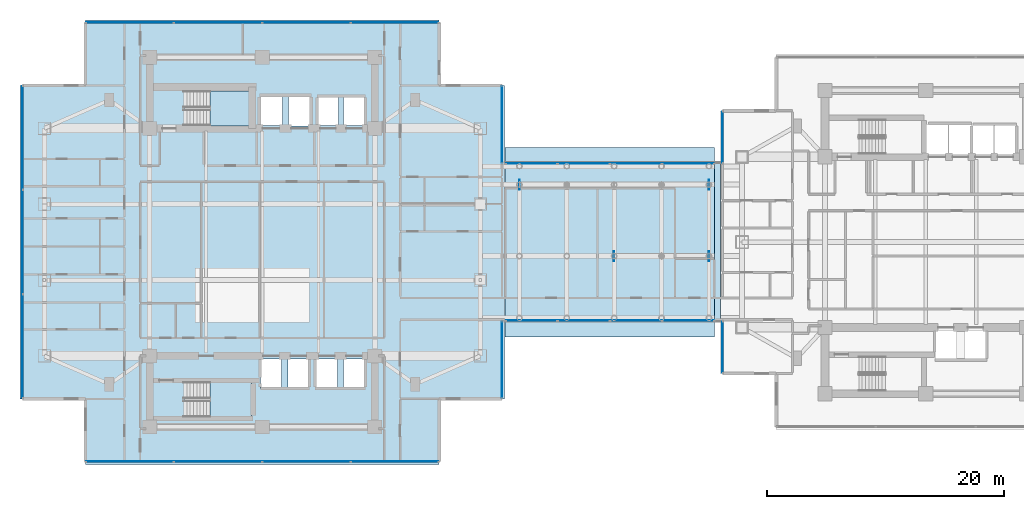
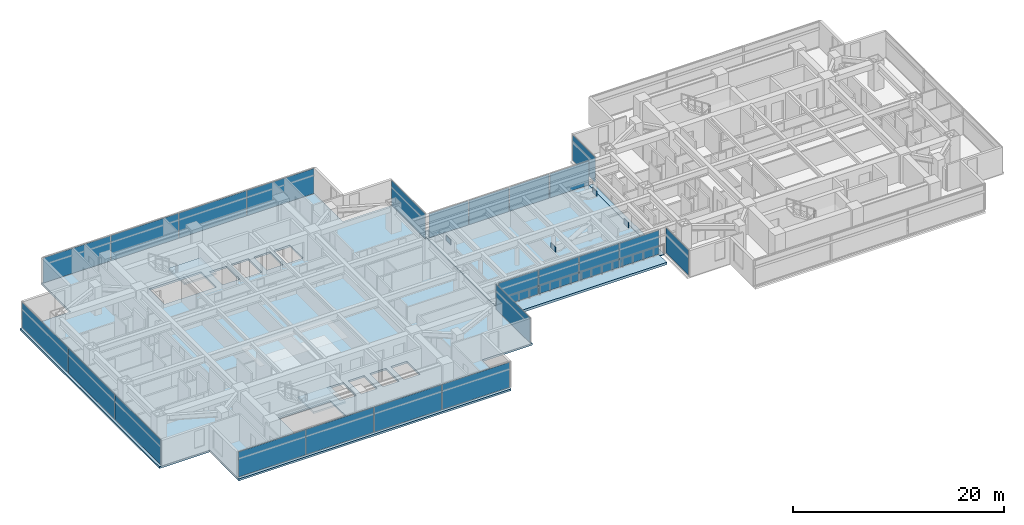
# One storey, part 12 of 29: 27 plates, 5 slabs, 11 elements without a shape of their own.
"""IFC4 building model written with IfcOpenShell, lengths in metres."""

from ifc_helpers import new_model, si_unit, direction, frame, origin, origin_2d, place, context, subcontext, project, spatial, polyline, rectangle, outline, extrude, material, layer, layer_set, type_object, element, aggregate, save


model = new_model("IFC4")

# Units and contexts
model_context = context("Model", 3, precision=1e-05, world=origin(), true_north=direction((0.0, 1.0)))
body_context = subcontext(model_context, "Body", "Model", "MODEL_VIEW")
ifc_project = project(units=[si_unit("LENGTHUNIT", "METRE"), si_unit("AREAUNIT", "SQUARE_METRE"), si_unit("VOLUMEUNIT", "CUBIC_METRE"), si_unit("PLANEANGLEUNIT", "RADIAN"), si_unit("MASSUNIT", "GRAM", prefix="KILO")], contexts=[model_context])

# Site, building, storey
site_placement = place(None, origin())
site = spatial("IfcSite", under=ifc_project, at=site_placement, CompositionType="ELEMENT")
building_placement = place(site_placement, origin())
building = spatial("IfcBuilding", under=site, at=building_placement, Name="Mirazonda Arch Towers", CompositionType="ELEMENT")
storey_placement = place(building_placement, frame((0.0, 0.0, 88.39990234375)))
storey = spatial("IfcBuildingStorey", under=building, at=storey_placement, Name="L24", CompositionType="ELEMENT", Elevation=88.39990234375)

# Curtain wall, plates
ifc_material_1 = material(Name="Anodised Aluminium and Low-E Glass", Category="aluminium")
curtain_wall_type_1 = type_object("IfcCurtainWallType", Name="CW-BRG-LINK", PredefinedType="NOTDEFINED", material=ifc_material_1)
curtain_wall_1_placement = place(storey_placement, origin())
curtain_wall_1 = element("IfcCurtainWall", 1, at=curtain_wall_1_placement, inside=storey, type_object=curtain_wall_type_1, Name="L24 Skybridge South Glazing CW-L24-BRG-S", PredefinedType="NOTDEFINED")
ifc_material_2 = material(Name="Insulated Low-E Solar Glass", Category="glass")
ifc_layer_1 = layer(ifc_material_2, 0.0439453125, Name="PAN-CW-BRG-LINK")
ifc_layer_set_1 = layer_set([ifc_layer_1], Name="Insulated Low-E Solar Glass")
plate_type_1 = type_object("IfcPlateType", Name="PAN-CW-BRG-LINK", PredefinedType="CURTAIN_PANEL", material=ifc_layer_set_1)
plate_1_placement = place(storey_placement, frame((56.4541015625, 21.3798828125, 0.14501953125), z_axis=(0.0, 0.0, 1.0), x_axis=(-1.0, 0.0, 0.0)))
plate_1 = element("IfcPlate", 2, at=plate_1_placement, type_object=plate_type_1, Name="CW-103 panel 1.1", PredefinedType="CURTAIN_PANEL", context=body_context, shape_type="SweptSolid", body=[
    extrude(rectangle(XDim=4.296875, YDim=0.0439453125, at=origin_2d()), origin(), (0.0, 0.0, 1.0), 2.77001953125),
])
plate_2_placement = place(storey_placement, frame((52.051025390625, 21.3798828125, 0.14501953125), z_axis=(0.0, 0.0, 1.0), x_axis=(-1.0, 0.0, 0.0)))
plate_2 = element("IfcPlate", 3, at=plate_2_placement, type_object=plate_type_1, Name="CW-103 panel 2.1", PredefinedType="CURTAIN_PANEL", context=body_context, shape_type="SweptSolid", body=[
    extrude(rectangle(XDim=4.33935546875, YDim=0.0439453125, at=origin_2d()), origin(), (0.0, 0.0, 1.0), 2.77001953125),
])
plate_3_placement = place(storey_placement, frame((47.62646484375, 21.3798828125, 0.14501953125), z_axis=(0.0, 0.0, 1.0), x_axis=(-1.0, 0.0, 0.0)))
plate_3 = element("IfcPlate", 4, at=plate_3_placement, type_object=plate_type_1, Name="CW-103 panel 3.1", PredefinedType="CURTAIN_PANEL", context=body_context, shape_type="SweptSolid", body=[
    extrude(rectangle(XDim=4.33935546875, YDim=0.0439453125, at=origin_2d()), origin(), (0.0, 0.0, 1.0), 2.77001953125),
])
plate_4_placement = place(storey_placement, frame((43.223388671875, 21.3798828125, 0.14501953125), z_axis=(0.0, 0.0, 1.0), x_axis=(-1.0, 0.0, 0.0)))
plate_4 = element("IfcPlate", 5, at=plate_4_placement, type_object=plate_type_1, Name="CW-103 panel 4.1", PredefinedType="CURTAIN_PANEL", context=body_context, shape_type="SweptSolid", body=[
    extrude(rectangle(XDim=4.296875, YDim=0.0439453125, at=origin_2d()), origin(), (0.0, 0.0, 1.0), 2.77001953125),
])
aggregate(curtain_wall_1, [plate_1, plate_2, plate_3, plate_4])

curtain_wall_2_placement = place(storey_placement, origin())
curtain_wall_2 = element("IfcCurtainWall", 6, at=curtain_wall_2_placement, inside=storey, type_object=curtain_wall_type_1, Name="L24 Skybridge North Glazing CW-L24-BRG-N", PredefinedType="NOTDEFINED")
plate_5_placement = place(storey_placement, frame((43.223388671875, 34.6201171875, 0.14501953125), z_axis=(0.0, 0.0, 1.0), x_axis=(1.0, 0.0, 0.0)))
plate_5 = element("IfcPlate", 7, at=plate_5_placement, type_object=plate_type_1, Name="CW-103 panel 1.1", PredefinedType="CURTAIN_PANEL", context=body_context, shape_type="SweptSolid", body=[
    extrude(rectangle(XDim=4.296875, YDim=0.0439453125, at=origin_2d()), origin(), (0.0, 0.0, 1.0), 2.77001953125),
])
plate_6_placement = place(storey_placement, frame((47.62646484375, 34.6201171875, 0.14501953125), z_axis=(0.0, 0.0, 1.0), x_axis=(1.0, 0.0, 0.0)))
plate_6 = element("IfcPlate", 8, at=plate_6_placement, type_object=plate_type_1, Name="CW-103 panel 2.1", PredefinedType="CURTAIN_PANEL", context=body_context, shape_type="SweptSolid", body=[
    extrude(rectangle(XDim=4.33935546875, YDim=0.0439453125, at=origin_2d()), origin(), (0.0, 0.0, 1.0), 2.77001953125),
])
plate_7_placement = place(storey_placement, frame((52.051025390625, 34.6201171875, 0.14501953125), z_axis=(0.0, 0.0, 1.0), x_axis=(1.0, 0.0, 0.0)))
plate_7 = element("IfcPlate", 9, at=plate_7_placement, type_object=plate_type_1, Name="CW-103 panel 3.1", PredefinedType="CURTAIN_PANEL", context=body_context, shape_type="SweptSolid", body=[
    extrude(rectangle(XDim=4.33935546875, YDim=0.0439453125, at=origin_2d()), origin(), (0.0, 0.0, 1.0), 2.77001953125),
])
plate_8_placement = place(storey_placement, frame((56.4541015625, 34.6201171875, 0.14501953125), z_axis=(0.0, 0.0, 1.0), x_axis=(1.0, 0.0, 0.0)))
plate_8 = element("IfcPlate", 10, at=plate_8_placement, type_object=plate_type_1, Name="CW-103 panel 4.1", PredefinedType="CURTAIN_PANEL", context=body_context, shape_type="SweptSolid", body=[
    extrude(rectangle(XDim=4.296875, YDim=0.0439453125, at=origin_2d()), origin(), (0.0, 0.0, 1.0), 2.77001953125),
])
aggregate(curtain_wall_2, [plate_5, plate_6, plate_7, plate_8])

curtain_wall_type_2 = type_object("IfcCurtainWallType", Name="CW-HTL-UNIT", PredefinedType="NOTDEFINED", material=ifc_material_1)
curtain_wall_3_placement = place(storey_placement, origin())
curtain_wall_3 = element("IfcCurtainWall", 11, at=curtain_wall_3_placement, inside=storey, type_object=curtain_wall_type_2, Name="L24 T1 S Facade CW-L24-T1-S", PredefinedType="NOTDEFINED")
ifc_layer_2 = layer(ifc_material_2, 0.035888671875, Name="PAN-CW-HTL-UNIT")
ifc_layer_set_2 = layer_set([ifc_layer_2], Name="Insulated Low-E Solar Glass")
plate_type_2 = type_object("IfcPlateType", Name="PAN-CW-HTL-UNIT", PredefinedType="CURTAIN_PANEL", material=ifc_layer_set_2)
plate_9_placement = place(storey_placement, frame((31.675048828125, 9.469970703125, 0.0751953125), z_axis=(0.0, 0.0, 1.0), x_axis=(-1.0, 0.0, 0.0)))
plate_9 = element("IfcPlate", 12, at=plate_9_placement, type_object=plate_type_2, Name="CW-112 panel 1.1", PredefinedType="CURTAIN_PANEL", context=body_context, shape_type="SweptSolid", body=[
    extrude(rectangle(XDim=7.35009765625, YDim=0.035888671875, at=origin_2d()), origin(), (0.0, 0.0, 1.0), 2.909912109375),
])
plate_10_placement = place(storey_placement, frame((24.231201171875, 9.469970703125, 0.0751953125), z_axis=(0.0, 0.0, 1.0), x_axis=(-1.0, 0.0, 0.0)))
plate_10 = element("IfcPlate", 13, at=plate_10_placement, type_object=plate_type_2, Name="CW-112 panel 2.1", PredefinedType="CURTAIN_PANEL", context=body_context, shape_type="SweptSolid", body=[
    extrude(rectangle(XDim=7.387451171875, YDim=0.035888671875, at=origin_2d()), origin(), (0.0, 0.0, 1.0), 2.909912109375),
])
plate_11_placement = place(storey_placement, frame((16.768798828125, 9.469970703125, 0.0751953125), z_axis=(0.0, 0.0, 1.0), x_axis=(-1.0, 0.0, 0.0)))
plate_11 = element("IfcPlate", 14, at=plate_11_placement, type_object=plate_type_2, Name="CW-112 panel 3.1", PredefinedType="CURTAIN_PANEL", context=body_context, shape_type="SweptSolid", body=[
    extrude(rectangle(XDim=7.387451171875, YDim=0.035888671875, at=origin_2d()), origin(), (0.0, 0.0, 1.0), 2.909912109375),
])
plate_12_placement = place(storey_placement, frame((9.324951171875, 9.469970703125, 0.0751953125), z_axis=(0.0, 0.0, 1.0), x_axis=(-1.0, 0.0, 0.0)))
plate_12 = element("IfcPlate", 15, at=plate_12_placement, type_object=plate_type_2, Name="CW-112 panel 4.1", PredefinedType="CURTAIN_PANEL", context=body_context, shape_type="SweptSolid", body=[
    extrude(rectangle(XDim=7.35009765625, YDim=0.035888671875, at=origin_2d()), origin(), (0.0, 0.0, 1.0), 2.909912109375),
])
aggregate(curtain_wall_3, [plate_9, plate_10, plate_11, plate_12])

# Curtain wall, plate
curtain_wall_4_placement = place(storey_placement, origin())
curtain_wall_4 = element("IfcCurtainWall", 16, at=curtain_wall_4_placement, inside=storey, type_object=curtain_wall_type_2, Name="L24 Curtain Wall CW-L24-T1-E1", PredefinedType="NOTDEFINED")
plate_13_placement = place(storey_placement, frame((40.72998046875, 18.0673828125, 0.0751953125), z_axis=(0.0, 0.0, 1.0), x_axis=(0.0, 1.0, 0.0)))
plate_13 = element("IfcPlate", 17, at=plate_13_placement, type_object=plate_type_2, Name="CW-112 panel 1.1", PredefinedType="CURTAIN_PANEL", context=body_context, shape_type="SweptSolid", body=[
    extrude(rectangle(XDim=6.43505859375, YDim=0.035888671875, at=origin_2d()), origin(), (0.0, 0.0, 1.0), 2.909912109375),
])
aggregate(curtain_wall_4, [plate_13])

curtain_wall_5_placement = place(storey_placement, origin())
curtain_wall_5 = element("IfcCurtainWall", 18, at=curtain_wall_5_placement, inside=storey, type_object=curtain_wall_type_2, Name="L24 Curtain Wall CW-L24-T1-E2", PredefinedType="NOTDEFINED")
plate_14_placement = place(storey_placement, frame((40.72998046875, 37.9326171875, 0.0751953125), z_axis=(0.0, 0.0, 1.0), x_axis=(0.0, 1.0, 0.0)))
plate_14 = element("IfcPlate", 19, at=plate_14_placement, type_object=plate_type_2, Name="CW-112 panel 1.1", PredefinedType="CURTAIN_PANEL", context=body_context, shape_type="SweptSolid", body=[
    extrude(rectangle(XDim=6.43505859375, YDim=0.035888671875, at=origin_2d()), origin(), (0.0, 0.0, 1.0), 2.909912109375),
])
aggregate(curtain_wall_5, [plate_14])

# Curtain wall, plates
curtain_wall_6_placement = place(storey_placement, origin())
curtain_wall_6 = element("IfcCurtainWall", 20, at=curtain_wall_6_placement, inside=storey, type_object=curtain_wall_type_2, Name="L24 T1 N Facade CW-L24-T1-N", PredefinedType="NOTDEFINED")
plate_15_placement = place(storey_placement, frame((9.324951171875, 46.530029296875, 0.0751953125), z_axis=(0.0, 0.0, 1.0), x_axis=(1.0, 0.0, 0.0)))
plate_15 = element("IfcPlate", 21, at=plate_15_placement, type_object=plate_type_2, Name="CW-112 panel 1.1", PredefinedType="CURTAIN_PANEL", context=body_context, shape_type="SweptSolid", body=[
    extrude(rectangle(XDim=7.35009765625, YDim=0.035888671875, at=origin_2d()), origin(), (0.0, 0.0, 1.0), 2.909912109375),
])
plate_16_placement = place(storey_placement, frame((16.768798828125, 46.530029296875, 0.0751953125), z_axis=(0.0, 0.0, 1.0), x_axis=(1.0, 0.0, 0.0)))
plate_16 = element("IfcPlate", 22, at=plate_16_placement, type_object=plate_type_2, Name="CW-112 panel 2.1", PredefinedType="CURTAIN_PANEL", context=body_context, shape_type="SweptSolid", body=[
    extrude(rectangle(XDim=7.387451171875, YDim=0.035888671875, at=origin_2d()), origin(), (0.0, 0.0, 1.0), 2.909912109375),
])
plate_17_placement = place(storey_placement, frame((24.231201171875, 46.530029296875, 0.0751953125), z_axis=(0.0, 0.0, 1.0), x_axis=(1.0, 0.0, 0.0)))
plate_17 = element("IfcPlate", 23, at=plate_17_placement, type_object=plate_type_2, Name="CW-112 panel 3.1", PredefinedType="CURTAIN_PANEL", context=body_context, shape_type="SweptSolid", body=[
    extrude(rectangle(XDim=7.387451171875, YDim=0.035888671875, at=origin_2d()), origin(), (0.0, 0.0, 1.0), 2.909912109375),
])
plate_18_placement = place(storey_placement, frame((31.675048828125, 46.530029296875, 0.0751953125), z_axis=(0.0, 0.0, 1.0), x_axis=(1.0, 0.0, 0.0)))
plate_18 = element("IfcPlate", 24, at=plate_18_placement, type_object=plate_type_2, Name="CW-112 panel 4.1", PredefinedType="CURTAIN_PANEL", context=body_context, shape_type="SweptSolid", body=[
    extrude(rectangle(XDim=7.35009765625, YDim=0.035888671875, at=origin_2d()), origin(), (0.0, 0.0, 1.0), 2.909912109375),
])
aggregate(curtain_wall_6, [plate_15, plate_16, plate_17, plate_18])

curtain_wall_7_placement = place(storey_placement, origin())
curtain_wall_7 = element("IfcCurtainWall", 25, at=curtain_wall_7_placement, inside=storey, type_object=curtain_wall_type_2, Name="L24 T1 W Facade CW-L24-T1-W", PredefinedType="NOTDEFINED")
plate_19_placement = place(storey_placement, frame((0.27001953125, 36.7978515625, 0.0751953125), z_axis=(0.0, 0.0, 1.0), x_axis=(0.0, -1.0, 0.0)))
plate_19 = element("IfcPlate", 26, at=plate_19_placement, type_object=plate_type_2, Name="CW-112 panel 1.1", PredefinedType="CURTAIN_PANEL", context=body_context, shape_type="SweptSolid", body=[
    extrude(rectangle(XDim=8.7041015625, YDim=0.035888671875, at=origin_2d()), origin(), (0.0, 0.0, 1.0), 2.909912109375),
])
plate_20_placement = place(storey_placement, frame((0.27001953125, 28.0, 0.0751953125), z_axis=(0.0, 0.0, 1.0), x_axis=(0.0, -1.0, 0.0)))
plate_20 = element("IfcPlate", 27, at=plate_20_placement, type_object=plate_type_2, Name="CW-112 panel 2.1", PredefinedType="CURTAIN_PANEL", context=body_context, shape_type="SweptSolid", body=[
    extrude(rectangle(XDim=8.74169921875, YDim=0.035888671875, at=origin_2d()), origin(), (0.0, 0.0, 1.0), 2.909912109375),
])
plate_21_placement = place(storey_placement, frame((0.27001953125, 19.2021484375, 0.0751953125), z_axis=(0.0, 0.0, 1.0), x_axis=(0.0, -1.0, 0.0)))
plate_21 = element("IfcPlate", 28, at=plate_21_placement, type_object=plate_type_2, Name="CW-112 panel 3.1", PredefinedType="CURTAIN_PANEL", context=body_context, shape_type="SweptSolid", body=[
    extrude(rectangle(XDim=8.7041015625, YDim=0.035888671875, at=origin_2d()), origin(), (0.0, 0.0, 1.0), 2.909912109375),
])
aggregate(curtain_wall_7, [plate_19, plate_20, plate_21])

# Curtain wall, plate
curtain_wall_8_placement = place(storey_placement, origin())
curtain_wall_8 = element("IfcCurtainWall", 29, at=curtain_wall_8_placement, inside=storey, type_object=curtain_wall_type_2, Name="L24 Curtain Wall CW-L24-T2-W1", PredefinedType="NOTDEFINED")
plate_22_placement = place(storey_placement, frame((59.357421875, 36.860595703125, 0.0751953125), z_axis=(0.0, 0.0, 1.0), x_axis=(0.0, -1.0, 0.0)))
plate_22 = element("IfcPlate", 30, at=plate_22_placement, type_object=plate_type_2, Name="CW-112 panel 1.1", PredefinedType="CURTAIN_PANEL", context=body_context, shape_type="SweptSolid", body=[
    extrude(rectangle(XDim=4.291259765625, YDim=0.035888671875, at=origin_2d()), origin(), (0.0, 0.0, 1.0), 2.909912109375),
])
aggregate(curtain_wall_8, [plate_22])

curtain_wall_9_placement = place(storey_placement, origin())
curtain_wall_9 = element("IfcCurtainWall", 31, at=curtain_wall_9_placement, inside=storey, type_object=curtain_wall_type_2, Name="L24 Curtain Wall CW-L24-T2-W2", PredefinedType="NOTDEFINED")
plate_23_placement = place(storey_placement, frame((59.357421875, 19.139404296875, 0.0751953125), z_axis=(0.0, 0.0, 1.0), x_axis=(0.0, -1.0, 0.0)))
plate_23 = element("IfcPlate", 32, at=plate_23_placement, type_object=plate_type_2, Name="CW-112 panel 1.1", PredefinedType="CURTAIN_PANEL", context=body_context, shape_type="SweptSolid", body=[
    extrude(rectangle(XDim=4.291259765625, YDim=0.035888671875, at=origin_2d()), origin(), (0.0, 0.0, 1.0), 2.909912109375),
])
aggregate(curtain_wall_9, [plate_23])

# Plates
ifc_material_3 = material(Name="Steel ASTM A572 Grade 50", Category="steel")
ifc_layer_3 = layer(ifc_material_3, 0.035888671875, Name="PLATE-CAP-850x600x36")
ifc_layer_set_3 = layer_set([ifc_layer_3], Name="Steel ASTM A572 Grade 50")
plate_type_3 = type_object("IfcPlateType", Name="PLATE-CAP-850x600x36", PredefinedType="USERDEFINED", material=ifc_layer_set_3)
for number, where, z_axis, x_axis, name in (
    (33, (50.19189453125, 26.820068359375, 0.25), (0.0, 0.0, 1.0), (-1.0, 0.0, 0.0), "Steel end closure plate NP-BRG-L24-IS-CA"),
    (34, (58.2080078125, 26.820068359375, 0.25), (0.0, 0.0, 1.0), (1.0, 0.0, 0.0), "Steel end closure plate NP-BRG-L24-IS-CB"),
    (35, (42.19189453125, 32.85009765625, 0.25), (0.0, 0.0, 1.0), (-1.0, 0.0, 0.0), "Steel end closure plate NP-BRG-L24-IN-CA"),
    (36, (58.2080078125, 32.85009765625, 0.25), (0.0, 0.0, 1.0), (1.0, 0.0, 0.0), "Steel end closure plate NP-BRG-L24-IN-CB"),
):
    element("IfcPlate", number, at=place(storey_placement, frame(where, z_axis=z_axis, x_axis=x_axis)), inside=storey, type_object=plate_type_3, Name=name, ObjectType="CAP PLATE", PredefinedType="USERDEFINED", context=body_context, shape_type="SweptSolid", body=[
        extrude(rectangle(XDim=0.0400390625, YDim=0.85009765625, at=origin_2d()), origin(), (0.0, 0.0, 1.0), 0.60009765625),
    ])

# Slabs
ifc_material_4 = material(Name="Concrete C40/50", Category="concrete")
ifc_layer_4 = layer(ifc_material_4, 0.280029296875, Name="SLAB-BRG-280")
ifc_layer_set_4 = layer_set([ifc_layer_4], Name="Concrete C40/50")
slab_type_1 = type_object("IfcSlabType", Name="SLAB-BRG-280", PredefinedType="FLOOR", material=ifc_layer_set_4)
slab_1_placement = place(storey_placement, frame((0.0, 0.0, -0.27978515625)))
element("IfcSlab", 37, at=slab_1_placement, inside=storey, type_object=slab_type_1, Name="L24 Skybridge Link Floor Slab", PredefinedType="FLOOR", context=body_context, shape_type="SweptSolid", body=[
    extrude(outline(polyline([(58.6875, 20.0), (58.6875, 36.0), (40.989990234375, 36.0), (40.989990234375, 20.0), (58.6875, 20.0)])), origin(), (0.0, 0.0, 1.0), 0.27978515625),
])
ifc_layer_5 = layer(ifc_material_4, 0.080078125, Name="SLAB-JOINT-COVER-80")
ifc_layer_set_5 = layer_set([ifc_layer_5], Name="Concrete C40/50")
slab_type_2 = type_object("IfcSlabType", Name="SLAB-JOINT-COVER-80", PredefinedType="FLOOR", material=ifc_layer_set_5)
slab_2_placement = place(storey_placement, frame((0.0, 0.0, -0.079833984375)))
element("IfcSlab", 38, at=slab_2_placement, inside=storey, type_object=slab_type_2, Name="L24 Skybridge 450mm Seismic Movement Joint Cover Plate", PredefinedType="FLOOR", context=body_context, shape_type="SweptSolid", body=[
    extrude(outline(polyline([(58.66748046875, 21.260009765625), (59.157470703125, 21.260009765625), (59.157470703125, 34.739990234375), (58.66748046875, 34.739990234375), (58.66748046875, 21.260009765625)])), origin(), (0.0, 0.0, 1.0), 0.079833984375),
])

# Stair, slab
stair_type = type_object("IfcStairType", Name="STAIR-CORE-1400", PredefinedType="HALF_TURN_STAIR", material=ifc_material_4)
stair_1_placement = place(storey_placement, origin())
stair_1 = element("IfcStair", 39, at=stair_1_placement, inside=storey, type_object=stair_type, Name="L24 Protected Exit Stair ST-T1N", PredefinedType="HALF_TURN_STAIR")
ifc_layer_6 = layer(ifc_material_4, 0.18994140625, Name="SLAB-LANDING-190")
ifc_layer_set_6 = layer_set([ifc_layer_6], Name="Concrete C40/50")
slab_type_3 = type_object("IfcSlabType", Name="SLAB-LANDING-190", PredefinedType="LANDING", material=ifc_layer_set_6)
slab_3_placement = place(storey_placement, frame((0.0, 0.0, 1.4501953125)))
slab_3 = element("IfcSlab", 40, at=slab_3_placement, type_object=slab_type_3, Name="ST-T1N landing 1", PredefinedType="LANDING", context=body_context, shape_type="SweptSolid", body=[
    extrude(outline(polyline([(16.090087890625, 37.820068359375), (19.60009765625, 37.820068359375), (19.60009765625, 40.760009765625), (16.090087890625, 40.760009765625), (16.090087890625, 37.820068359375)])), origin(), (0.0, 0.0, 1.0), 0.199951171875),
])
aggregate(stair_1, [slab_3])

stair_2_placement = place(storey_placement, origin())
stair_2 = element("IfcStair", 41, at=stair_2_placement, inside=storey, type_object=stair_type, Name="L24 Protected Exit Stair ST-T1S", PredefinedType="HALF_TURN_STAIR")
slab_4_placement = place(storey_placement, frame((0.0, 0.0, 1.4501953125)))
slab_4 = element("IfcSlab", 42, at=slab_4_placement, type_object=slab_type_3, Name="ST-T1S landing 1", PredefinedType="LANDING", context=body_context, shape_type="SweptSolid", body=[
    extrude(outline(polyline([(16.090087890625, 13.25), (19.60009765625, 13.25), (19.60009765625, 16.18994140625), (16.090087890625, 16.18994140625), (16.090087890625, 13.25)])), origin(), (0.0, 0.0, 1.0), 0.199951171875),
])
aggregate(stair_2, [slab_4])

# Slab
ifc_layer_7 = layer(ifc_material_4, 0.219970703125, Name="SLAB-TWR-220")
ifc_layer_set_7 = layer_set([ifc_layer_7], Name="Concrete C40/50")
slab_type_4 = type_object("IfcSlabType", Name="SLAB-TWR-220", PredefinedType="FLOOR", material=ifc_layer_set_7)
slab_5_placement = place(storey_placement, frame((0.0, 0.0, -0.219970703125)))
element("IfcSlab", 43, at=slab_5_placement, inside=storey, type_object=slab_type_4, Name="L24 Tower 1 Floor Slab", PredefinedType="FLOOR", context=body_context, shape_type="SweptSolid", body=[
    extrude(outline(polyline([(5.574951171875, 9.25), (35.425048828125, 9.25), (35.425048828125, 14.77490234375), (40.949951171875, 14.77490234375), (40.949951171875, 41.22509765625), (35.425048828125, 41.22509765625), (35.425048828125, 46.75), (5.574951171875, 46.75), (5.574951171875, 41.22509765625), (0.050048828125, 41.22509765625), (0.050048828125, 14.77490234375), (5.574951171875, 14.77490234375), (5.574951171875, 9.25)]), holes=[polyline([(29.139892578125, 18.139892578125), (29.139892578125, 15.659912109375), (27.360107421875, 15.659912109375), (27.360107421875, 18.139892578125), (29.139892578125, 18.139892578125)]), polyline([(29.139892578125, 40.340087890625), (29.139892578125, 37.860107421875), (27.360107421875, 37.860107421875), (27.360107421875, 40.340087890625), (29.139892578125, 40.340087890625)]), polyline([(25.159912109375, 40.340087890625), (26.93994140625, 40.340087890625), (26.93994140625, 37.860107421875), (25.159912109375, 37.860107421875), (25.159912109375, 40.340087890625)]), polyline([(26.840087890625, 18.139892578125), (26.840087890625, 15.659912109375), (25.06005859375, 15.659912109375), (25.06005859375, 18.139892578125), (26.840087890625, 18.139892578125)]), polyline([(22.7099609375, 40.389892578125), (24.590087890625, 40.389892578125), (24.590087890625, 37.81005859375), (22.7099609375, 37.81005859375), (22.7099609375, 40.389892578125)]), polyline([(22.659912109375, 18.139892578125), (24.43994140625, 18.139892578125), (24.43994140625, 15.659912109375), (22.659912109375, 15.659912109375), (22.659912109375, 18.139892578125)]), polyline([(20.31005859375, 40.340087890625), (22.18994140625, 40.340087890625), (22.18994140625, 37.860107421875), (20.31005859375, 37.860107421875), (20.31005859375, 40.340087890625)]), polyline([(20.360107421875, 18.139892578125), (22.139892578125, 18.139892578125), (22.139892578125, 15.659912109375), (20.360107421875, 15.659912109375), (20.360107421875, 18.139892578125)]), polyline([(13.925048828125, 40.760009765625), (19.60009765625, 40.760009765625), (19.60009765625, 37.820068359375), (13.925048828125, 37.820068359375), (13.925048828125, 40.760009765625)]), polyline([(13.925048828125, 13.25), (13.925048828125, 16.18994140625), (19.60009765625, 16.18994140625), (19.60009765625, 13.25), (13.925048828125, 13.25)])]), origin(), (0.0, 0.0, 1.0), 0.219970703125),
])

save(model, "model.ifc")
